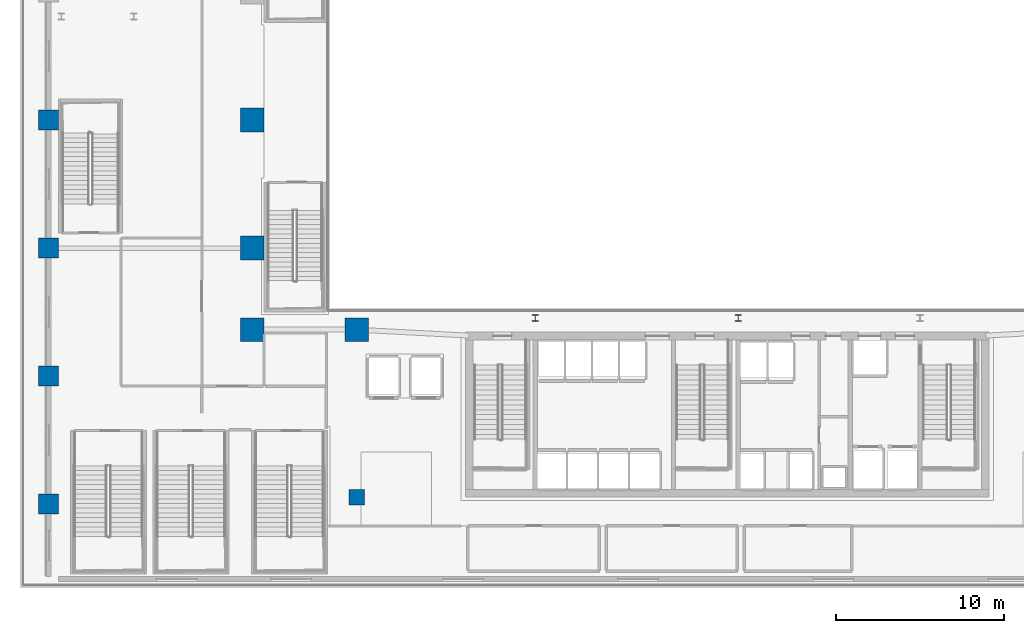
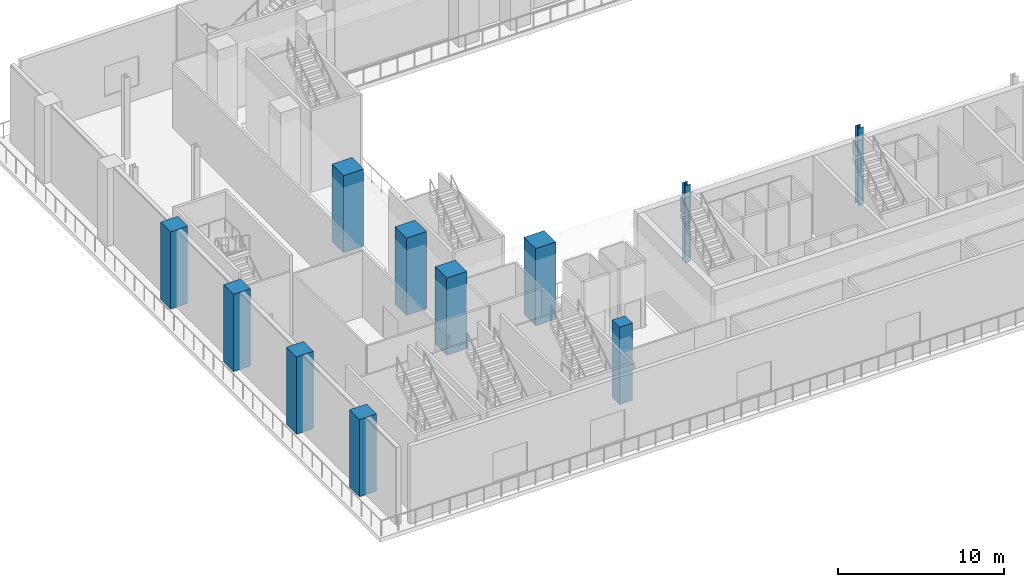
# One storey, part 1 of 29: 11 columns.
"""IFC4 building model written with IfcOpenShell, lengths in metres."""

from ifc_helpers import new_model, si_unit, direction, frame, origin, origin_2d, place, context, subcontext, project, spatial, rectangle, i_section, extrude, material, material_profile, profile_set, type_object, element, save


model = new_model("IFC4")

# Units and contexts
model_context = context("Model", 3, precision=1e-05, world=origin(), true_north=direction((0.0, 1.0)))
body_context = subcontext(model_context, "Body", "Model", "MODEL_VIEW")
ifc_project = project(units=[si_unit("LENGTHUNIT", "METRE"), si_unit("AREAUNIT", "SQUARE_METRE"), si_unit("VOLUMEUNIT", "CUBIC_METRE"), si_unit("PLANEANGLEUNIT", "RADIAN"), si_unit("MASSUNIT", "GRAM", prefix="KILO")], contexts=[model_context])

# Site, building, storey
site_placement = place(None, origin())
site = spatial("IfcSite", under=ifc_project, at=site_placement, CompositionType="ELEMENT")
building_placement = place(site_placement, origin())
building = spatial("IfcBuilding", under=site, at=building_placement, Name="Ndaravel Arena Tower", CompositionType="ELEMENT")
storey_placement = place(building_placement, frame((0.0, 0.0, 12.0)))
storey = spatial("IfcBuildingStorey", under=building, at=storey_placement, Name="L02", CompositionType="ELEMENT", Elevation=12.0)

# Columns
ifc_material_1 = material(Name="Concrete C40/50", Category="concrete")
ifc_material_profile_1 = material_profile(ifc_material_1, rectangle(XDim=0.89990234375, YDim=0.89990234375, at=origin_2d()), Name="RC 900x900")
ifc_profile_set_1 = profile_set([ifc_material_profile_1], Name="Concrete C40/50")
column_type_1 = type_object("IfcColumnType", Name="COL-BSMT-RC900", PredefinedType="COLUMN", material=ifc_profile_set_1)
column_placement = place(storey_placement, frame((20.0, 5.39990234375, 0.0), z_axis=(0.0, 0.0, 1.0), x_axis=(1.0, 0.0, 0.0)))
element("IfcColumn", 1, at=column_placement, inside=storey, type_object=column_type_1, Name="L02 South Concourse Column 01", PredefinedType="COLUMN", context=body_context, shape_type="SweptSolid", body=[
    extrude(rectangle(XDim=0.89990234375, YDim=0.89990234375, at=origin_2d()), origin(), (0.0, 0.0, 1.0), 5.699951171875),
])
ifc_material_2 = material(Name="Steel S355", Category="steel")
ifc_material_profile_2 = material_profile(ifc_material_2, i_section(OverallWidth=0.374755859375, OverallDepth=0.37451171875, WebThickness=0.0166015625, FlangeThickness=0.027099609375, FilletRadius=0.01513671875, at=origin_2d()), Name="UC 356x368x202")
ifc_profile_set_2 = profile_set([ifc_material_profile_2], Name="Steel S355")
column_type_2 = type_object("IfcColumnType", Name="COL-CRN-UC202", PredefinedType="COLUMN", material=ifc_profile_set_2)
for number, where, z_axis, x_axis, name in (
    (2, (30.60009765625, 16.050048828125, 0.0), (0.0, 0.0, 1.0), (1.0, 0.0, 0.0), "L02 South Stand Raker Column 2"),
    (3, (42.64990234375, 16.050048828125, 0.0), (0.0, 0.0, 1.0), (1.0, 0.0, 0.0), "L02 South Stand Raker Column 3"),
):
    element("IfcColumn", number, at=place(storey_placement, frame(where, z_axis=z_axis, x_axis=x_axis)), inside=storey, type_object=column_type_2, Name=name, PredefinedType="COLUMN", context=body_context, shape_type="SweptSolid", body=[
        extrude(i_section(OverallWidth=0.374755859375, OverallDepth=0.37451171875, WebThickness=0.0166015625, FlangeThickness=0.027099609375, FilletRadius=0.01513671875, at=origin_2d()), origin(), (0.0, 0.0, 1.0), 5.699951171875),
    ])
ifc_material_3 = material(Name="Concrete C60/75", Category="concrete")
ifc_material_profile_3 = material_profile(ifc_material_3, rectangle(XDim=1.199951171875, YDim=1.199951171875, at=origin_2d()), Name="RC 1200x1200")
ifc_profile_set_3 = profile_set([ifc_material_profile_3], Name="Concrete C60/75")
column_type_3 = type_object("IfcColumnType", Name="COL-MEGA-RC1200", PredefinedType="COLUMN", material=ifc_profile_set_3)
for number, where, z_axis, x_axis, name in (
    (4, (1.699951171875, 5.0, 0.0), (0.0, 0.0, 1.0), (1.0, 0.0, 0.0), "L02 Perimeter Mega Column 01"),
    (5, (1.699951171875, 12.60009765625, 0.0), (0.0, 0.0, 1.0), (1.0, 0.0, 0.0), "L02 Perimeter Mega Column 02"),
    (6, (1.699951171875, 20.199951171875, 0.0), (0.0, 0.0, 1.0), (1.0, 0.0, 0.0), "L02 Perimeter Mega Column 03"),
    (7, (1.699951171875, 27.800048828125, 0.0), (0.0, 0.0, 1.0), (1.0, 0.0, 0.0), "L02 Perimeter Mega Column 04"),
):
    element("IfcColumn", number, at=place(storey_placement, frame(where, z_axis=z_axis, x_axis=x_axis)), inside=storey, type_object=column_type_3, Name=name, PredefinedType="COLUMN", context=body_context, shape_type="SweptSolid", body=[
        extrude(rectangle(XDim=1.199951171875, YDim=1.199951171875, at=origin_2d()), origin(), (0.0, 0.0, 1.0), 5.699951171875),
    ])
ifc_material_4 = material(Name="Concrete C60/75", Category="concrete")
ifc_material_profile_4 = material_profile(ifc_material_4, rectangle(XDim=1.39990234375, YDim=1.39990234375, at=origin_2d()), Name="RC 1400x1400")
ifc_profile_set_4 = profile_set([ifc_material_profile_4], Name="Concrete C60/75")
column_type_4 = type_object("IfcColumnType", Name="COL-MEGA-RC1400", PredefinedType="COLUMN", material=ifc_profile_set_4)
for number, where, z_axis, x_axis, name in (
    (8, (13.800048828125, 15.35009765625, 0.0), (0.0, 0.0, 1.0), (1.0, 0.0, 0.0), "L02 Arena Ring Mega Column 01"),
    (9, (13.800048828125, 20.199951171875, 0.0), (0.0, 0.0, 1.0), (1.0, 0.0, 0.0), "L02 Arena Ring Mega Column 02"),
    (10, (13.800048828125, 27.800048828125, 0.0), (0.0, 0.0, 1.0), (1.0, 0.0, 0.0), "L02 Arena Ring Mega Column 03"),
    (11, (20.0, 15.35009765625, 0.0), (0.0, 0.0, 1.0), (1.0, 0.0, 0.0), "L02 Arena Ring Mega Column 11"),
):
    element("IfcColumn", number, at=place(storey_placement, frame(where, z_axis=z_axis, x_axis=x_axis)), inside=storey, type_object=column_type_4, Name=name, PredefinedType="COLUMN", context=body_context, shape_type="SweptSolid", body=[
        extrude(rectangle(XDim=1.39990234375, YDim=1.39990234375, at=origin_2d()), origin(), (0.0, 0.0, 1.0), 5.699951171875),
    ])

save(model, "model.ifc")
